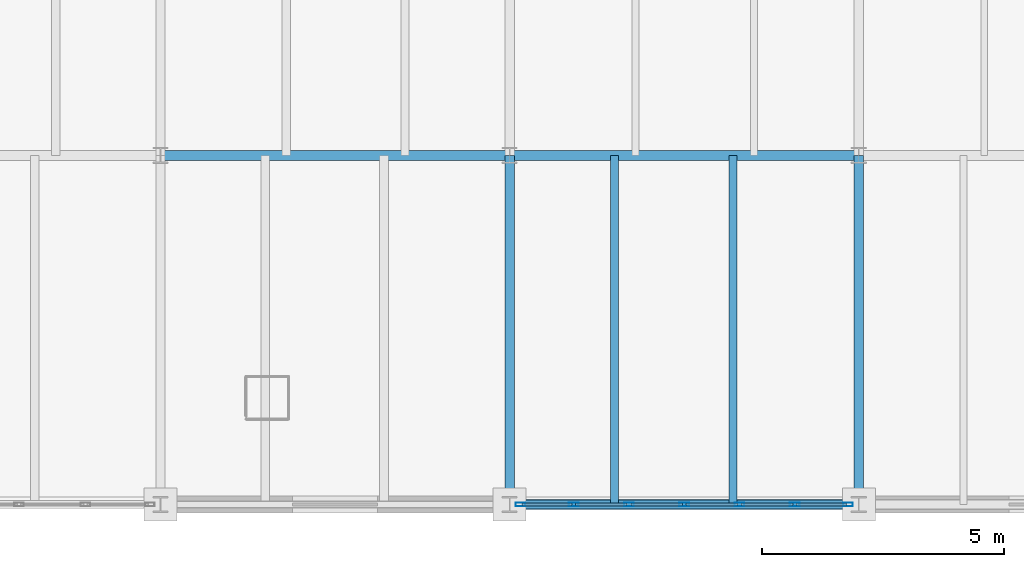
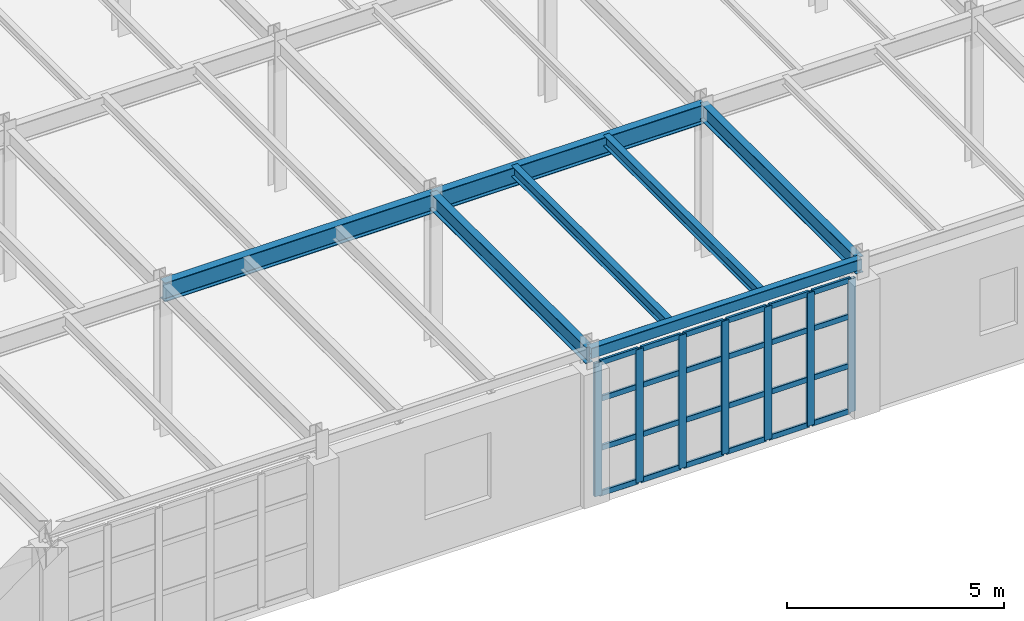
# One storey, part 27 of 137: 31 members, 7 beams, 1 element without a shape of its own.
"""IFC4 building model written with IfcOpenShell, lengths in metres."""

from ifc_helpers import new_model, si_unit, direction, frame, origin, origin_2d, place, context, subcontext, project, spatial, hollow_rectangle, i_section, extrude, material, layer, layer_set, material_profile, profile_set, type_object, element, aggregate, save


model = new_model("IFC4")

# Units and contexts
model_context = context("Model", 3, precision=1e-05, world=origin(), true_north=direction((0.0, 1.0)))
body_context = subcontext(model_context, "Body", "Model", "MODEL_VIEW")
ifc_project = project(units=[si_unit("LENGTHUNIT", "METRE"), si_unit("AREAUNIT", "SQUARE_METRE"), si_unit("VOLUMEUNIT", "CUBIC_METRE"), si_unit("PLANEANGLEUNIT", "RADIAN"), si_unit("MASSUNIT", "GRAM", prefix="KILO")], contexts=[model_context])

# Site, building, storey
site_placement = place(None, origin())
site = spatial("IfcSite", under=ifc_project, at=site_placement, CompositionType="ELEMENT")
building_placement = place(site_placement, origin())
building = spatial("IfcBuilding", under=site, at=building_placement, Name="Kemerveld Promenade Tramway Depot", CompositionType="ELEMENT")
storey_placement = place(building_placement, frame((0.0, 0.0, 5.39990234375)))
storey = spatial("IfcBuildingStorey", under=building, at=storey_placement, Name="L01", CompositionType="ELEMENT", Elevation=5.39990234375)

# Beams
ifc_material_1 = material(Name="Steel S355", Category="steel")
ifc_material_profile_1 = material_profile(ifc_material_1, i_section(OverallWidth=0.2099609375, OverallDepth=0.53662109375, WebThickness=0.0107421875, FlangeThickness=0.017333984375, FilletRadius=0.0126953125, at=origin_2d()), Name="533x210x101 UB")
ifc_profile_set_1 = profile_set([ifc_material_profile_1], Name="Steel S355")
beam_type_1 = type_object("IfcBeamType", Name="BM-G05", PredefinedType="BEAM", material=ifc_profile_set_1)
for number, where, z_axis, x_axis, name in (
    (1, (28.800048828125, 7.199951171875, 3.99169921875), (1.0, 0.0, 0.0), (0.0, 1.0, 0.0), "BMX-L01-05-06-B"),
    (2, (36.0, 7.199951171875, 3.99169921875), (1.0, 0.0, 0.0), (0.0, 1.0, 0.0), "BMX-L01-06-07-B"),
):
    element("IfcBeam", number, at=place(storey_placement, frame(where, z_axis=z_axis, x_axis=x_axis)), inside=storey, type_object=beam_type_1, Name=name, PredefinedType="BEAM", context=body_context, shape_type="SweptSolid", body=[
        extrude(i_section(OverallWidth=0.2099609375, OverallDepth=0.53662109375, WebThickness=0.0107421875, FlangeThickness=0.017333984375, FilletRadius=0.0126953125, at=origin_2d()), origin(), (0.0, 0.0, 1.0), 7.199951171875),
    ])
ifc_material_profile_2 = material_profile(ifc_material_1, i_section(OverallWidth=0.19140625, OverallDepth=0.4599609375, WebThickness=0.010009765625, FlangeThickness=0.01611328125, FilletRadius=0.01025390625, at=origin_2d()), Name="457x191x82 UB")
ifc_profile_set_2 = profile_set([ifc_material_profile_2], Name="Steel S355")
beam_type_2 = type_object("IfcBeamType", Name="BM-G06", PredefinedType="BEAM", material=ifc_profile_set_2)
for number, where, z_axis, x_axis, name in (
    (3, (36.0, 0.0, 4.030029296875), (0.0, 1.0, 0.0), (-1.0, 0.0, 0.0), "BMY-L01-06-A-B"),
    (4, (43.199951171875, 0.0, 4.030029296875), (0.0, 1.0, 0.0), (-1.0, 0.0, 0.0), "BMY-L01-07-A-B"),
):
    element("IfcBeam", number, at=place(storey_placement, frame(where, z_axis=z_axis, x_axis=x_axis)), inside=storey, type_object=beam_type_2, Name=name, PredefinedType="BEAM", context=body_context, shape_type="SweptSolid", body=[
        extrude(i_section(OverallWidth=0.19140625, OverallDepth=0.4599609375, WebThickness=0.010009765625, FlangeThickness=0.01611328125, FilletRadius=0.01025390625, at=origin_2d()), origin(), (0.0, 0.0, 1.0), 7.199951171875),
    ])
ifc_material_profile_3 = material_profile(ifc_material_1, hollow_rectangle(XDim=0.199951171875, YDim=0.300048828125, WallThickness=0.012451171875, InnerFilletRadius=0.00634765625, OuterFilletRadius=0.018798828125, at=origin_2d()), Name="300x200x12.5 RHS")
ifc_profile_set_3 = profile_set([ifc_material_profile_3], Name="Steel S355")
beam_type_3 = type_object("IfcBeamType", Name="BM-G18", PredefinedType="BEAM", material=ifc_profile_set_3)
beam_placement = place(storey_placement, frame((36.0, 0.0, 4.110107421875), z_axis=(1.0, 0.0, 0.0), x_axis=(0.0, 1.0, 0.0)))
element("IfcBeam", 5, at=beam_placement, inside=storey, type_object=beam_type_3, Name="BMX-L01-06-07-A", PredefinedType="BEAM", context=body_context, shape_type="SweptSolid", body=[
    extrude(hollow_rectangle(XDim=0.199951171875, YDim=0.300048828125, WallThickness=0.012451171875, InnerFilletRadius=0.00634765625, OuterFilletRadius=0.018798828125, at=origin_2d()), origin(), (0.0, 0.0, 1.0), 7.199951171875),
])
ifc_material_profile_4 = material_profile(ifc_material_1, i_section(OverallWidth=0.165771484375, OverallDepth=0.306640625, WebThickness=0.006591796875, FlangeThickness=0.01171875, FilletRadius=0.0087890625, at=origin_2d()), Name="305x165x46 UB")
ifc_profile_set_4 = profile_set([ifc_material_profile_4], Name="Steel S355")
beam_type_4 = type_object("IfcBeamType", Name="BM-J01", PredefinedType="JOIST", material=ifc_profile_set_4)
for number, where, z_axis, x_axis, name in (
    (6, (38.159912109375, 0.0, 4.106689453125), (0.0, 1.0, 0.0), (-1.0, 0.0, 0.0), "JST-L01-06-A-1"),
    (7, (40.60791015625, 0.0, 4.106689453125), (0.0, 1.0, 0.0), (-1.0, 0.0, 0.0), "JST-L01-06-A-2"),
):
    element("IfcBeam", number, at=place(storey_placement, frame(where, z_axis=z_axis, x_axis=x_axis)), inside=storey, type_object=beam_type_4, Name=name, PredefinedType="JOIST", context=body_context, shape_type="SweptSolid", body=[
        extrude(i_section(OverallWidth=0.165771484375, OverallDepth=0.306640625, WebThickness=0.006591796875, FlangeThickness=0.01171875, FilletRadius=0.0087890625, at=origin_2d()), origin(), (0.0, 0.0, 1.0), 7.199951171875),
    ])

# Curtain wall, members
ifc_material_2 = material(Name="Bronze anodised aluminium and solar glass", Category="aluminium")
ifc_layer = layer(ifc_material_2, 0.199951171875)
ifc_layer_set = layer_set([ifc_layer], Name="CW-SYS-06")
curtain_wall_type = type_object("IfcCurtainWallType", Name="CW-SYS-06", PredefinedType="USERDEFINED", material=ifc_layer_set)
curtain_wall_placement = place(storey_placement, origin())
curtain_wall = element("IfcCurtainWall", 8, at=curtain_wall_placement, inside=storey, type_object=curtain_wall_type, Name="CW-L01-V5S-03", ObjectType="GLAZED_CURTAIN_WALL", PredefinedType="USERDEFINED")
ifc_material_3 = material(Name="Bronze anodised aluminium", Category="aluminium")
ifc_material_profile_5 = material_profile(ifc_material_3, hollow_rectangle(XDim=0.074951171875, YDim=0.199951171875, WallThickness=0.0048828125, InnerFilletRadius=0.001953125, OuterFilletRadius=0.0048828125, at=origin_2d()), Name="CW-MUL-200x75")
ifc_profile_set_5 = profile_set([ifc_material_profile_5], Name="Bronze anodised aluminium")
member_type_1 = type_object("IfcMemberType", Name="CW-MUL-B", PredefinedType="MULLION", material=ifc_profile_set_5)
member_1_placement = place(storey_placement, frame((42.97900390625, 0.0, 0.0), z_axis=(0.0, 0.0, 1.0), x_axis=(0.0, -1.0, 0.0)))
member_1 = element("IfcMember", 9, at=member_1_placement, type_object=member_type_1, Name="CW06 mullion 1", PredefinedType="MULLION", context=body_context, shape_type="SweptSolid", body=[
    extrude(hollow_rectangle(XDim=0.074951171875, YDim=0.199951171875, WallThickness=0.0048828125, InnerFilletRadius=0.001953125, OuterFilletRadius=0.0048828125, at=origin_2d()), origin(), (0.0, 0.0, 1.0), 3.75),
])
member_2_placement = place(storey_placement, frame((41.877685546875, 0.0, 0.0), z_axis=(0.0, 0.0, 1.0), x_axis=(0.0, -1.0, 0.0)))
member_2 = element("IfcMember", 10, at=member_2_placement, type_object=member_type_1, Name="CW06 mullion 2", PredefinedType="MULLION", context=body_context, shape_type="SweptSolid", body=[
    extrude(hollow_rectangle(XDim=0.074951171875, YDim=0.199951171875, WallThickness=0.0048828125, InnerFilletRadius=0.001953125, OuterFilletRadius=0.0048828125, at=origin_2d()), origin(), (0.0, 0.0, 1.0), 3.75),
])
member_3_placement = place(storey_placement, frame((40.73876953125, 0.0, 0.0), z_axis=(0.0, 0.0, 1.0), x_axis=(0.0, -1.0, 0.0)))
member_3 = element("IfcMember", 11, at=member_3_placement, type_object=member_type_1, Name="CW06 mullion 3", PredefinedType="MULLION", context=body_context, shape_type="SweptSolid", body=[
    extrude(hollow_rectangle(XDim=0.074951171875, YDim=0.199951171875, WallThickness=0.0048828125, InnerFilletRadius=0.001953125, OuterFilletRadius=0.0048828125, at=origin_2d()), origin(), (0.0, 0.0, 1.0), 3.75),
])
member_4_placement = place(storey_placement, frame((39.60009765625, 0.0, 0.0), z_axis=(0.0, 0.0, 1.0), x_axis=(0.0, -1.0, 0.0)))
member_4 = element("IfcMember", 12, at=member_4_placement, type_object=member_type_1, Name="CW06 mullion 4", PredefinedType="MULLION", context=body_context, shape_type="SweptSolid", body=[
    extrude(hollow_rectangle(XDim=0.074951171875, YDim=0.199951171875, WallThickness=0.0048828125, InnerFilletRadius=0.001953125, OuterFilletRadius=0.0048828125, at=origin_2d()), origin(), (0.0, 0.0, 1.0), 3.75),
])
member_5_placement = place(storey_placement, frame((38.461181640625, 0.0, 0.0), z_axis=(0.0, 0.0, 1.0), x_axis=(0.0, -1.0, 0.0)))
member_5 = element("IfcMember", 13, at=member_5_placement, type_object=member_type_1, Name="CW06 mullion 5", PredefinedType="MULLION", context=body_context, shape_type="SweptSolid", body=[
    extrude(hollow_rectangle(XDim=0.074951171875, YDim=0.199951171875, WallThickness=0.0048828125, InnerFilletRadius=0.001953125, OuterFilletRadius=0.0048828125, at=origin_2d()), origin(), (0.0, 0.0, 1.0), 3.75),
])
member_6_placement = place(storey_placement, frame((37.322265625, 0.0, 0.0), z_axis=(0.0, 0.0, 1.0), x_axis=(0.0, -1.0, 0.0)))
member_6 = element("IfcMember", 14, at=member_6_placement, type_object=member_type_1, Name="CW06 mullion 6", PredefinedType="MULLION", context=body_context, shape_type="SweptSolid", body=[
    extrude(hollow_rectangle(XDim=0.074951171875, YDim=0.199951171875, WallThickness=0.0048828125, InnerFilletRadius=0.001953125, OuterFilletRadius=0.0048828125, at=origin_2d()), origin(), (0.0, 0.0, 1.0), 3.75),
])
member_7_placement = place(storey_placement, frame((36.220947265625, 0.0, 0.0), z_axis=(0.0, 0.0, 1.0), x_axis=(0.0, -1.0, 0.0)))
member_7 = element("IfcMember", 15, at=member_7_placement, type_object=member_type_1, Name="CW06 mullion 7", PredefinedType="MULLION", context=body_context, shape_type="SweptSolid", body=[
    extrude(hollow_rectangle(XDim=0.074951171875, YDim=0.199951171875, WallThickness=0.0048828125, InnerFilletRadius=0.001953125, OuterFilletRadius=0.0048828125, at=origin_2d()), origin(), (0.0, 0.0, 1.0), 3.75),
])
ifc_material_profile_6 = material_profile(ifc_material_3, hollow_rectangle(XDim=0.06494140625, YDim=0.14990234375, WallThickness=0.00439453125, InnerFilletRadius=0.001953125, OuterFilletRadius=0.00439453125, at=origin_2d()), Name="CW-TRN-150x65")
ifc_profile_set_6 = profile_set([ifc_material_profile_6], Name="Bronze anodised aluminium")
member_type_2 = type_object("IfcMemberType", Name="CW-TRN-B", PredefinedType="USERDEFINED", material=ifc_profile_set_6)
member_8_placement = place(storey_placement, frame((42.94140625, 0.0, 0.03271484375), z_axis=(-1.0, 0.0, 0.0), x_axis=(0.0, -1.0, 0.0)))
member_8 = element("IfcMember", 16, at=member_8_placement, type_object=member_type_2, Name="CW06 transom 1.1", ObjectType="TRANSOM", PredefinedType="USERDEFINED", context=body_context, shape_type="SweptSolid", body=[
    extrude(hollow_rectangle(XDim=0.06494140625, YDim=0.14990234375, WallThickness=0.00439453125, InnerFilletRadius=0.001953125, OuterFilletRadius=0.00439453125, at=origin_2d()), origin(), (0.0, 0.0, 1.0), 1.026123046875),
])
member_9_placement = place(storey_placement, frame((42.94140625, 0.0, 1.31298828125), z_axis=(-1.0, 0.0, 0.0), x_axis=(0.0, -1.0, 0.0)))
member_9 = element("IfcMember", 17, at=member_9_placement, type_object=member_type_2, Name="CW06 transom 1.2", ObjectType="TRANSOM", PredefinedType="USERDEFINED", context=body_context, shape_type="SweptSolid", body=[
    extrude(hollow_rectangle(XDim=0.06494140625, YDim=0.14990234375, WallThickness=0.00439453125, InnerFilletRadius=0.001953125, OuterFilletRadius=0.00439453125, at=origin_2d()), origin(), (0.0, 0.0, 1.0), 1.026123046875),
])
member_10_placement = place(storey_placement, frame((42.94140625, 0.0, 2.7001953125), z_axis=(-1.0, 0.0, 0.0), x_axis=(0.0, -1.0, 0.0)))
member_10 = element("IfcMember", 18, at=member_10_placement, type_object=member_type_2, Name="CW06 transom 1.3", ObjectType="TRANSOM", PredefinedType="USERDEFINED", context=body_context, shape_type="SweptSolid", body=[
    extrude(hollow_rectangle(XDim=0.06494140625, YDim=0.14990234375, WallThickness=0.00439453125, InnerFilletRadius=0.001953125, OuterFilletRadius=0.00439453125, at=origin_2d()), origin(), (0.0, 0.0, 1.0), 1.026123046875),
])
member_11_placement = place(storey_placement, frame((42.94140625, 0.0, 3.717529296875), z_axis=(-1.0, 0.0, 0.0), x_axis=(0.0, -1.0, 0.0)))
member_11 = element("IfcMember", 19, at=member_11_placement, type_object=member_type_2, Name="CW06 transom 1.4", ObjectType="TRANSOM", PredefinedType="USERDEFINED", context=body_context, shape_type="SweptSolid", body=[
    extrude(hollow_rectangle(XDim=0.06494140625, YDim=0.14990234375, WallThickness=0.00439453125, InnerFilletRadius=0.001953125, OuterFilletRadius=0.00439453125, at=origin_2d()), origin(), (0.0, 0.0, 1.0), 1.026123046875),
])
member_12_placement = place(storey_placement, frame((41.840087890625, 0.0, 0.03271484375), z_axis=(-1.0, 0.0, 0.0), x_axis=(0.0, -1.0, 0.0)))
member_12 = element("IfcMember", 20, at=member_12_placement, type_object=member_type_2, Name="CW06 transom 2.1", ObjectType="TRANSOM", PredefinedType="USERDEFINED", context=body_context, shape_type="SweptSolid", body=[
    extrude(hollow_rectangle(XDim=0.06494140625, YDim=0.14990234375, WallThickness=0.00439453125, InnerFilletRadius=0.001953125, OuterFilletRadius=0.00439453125, at=origin_2d()), origin(), (0.0, 0.0, 1.0), 1.063720703125),
])
member_13_placement = place(storey_placement, frame((41.840087890625, 0.0, 1.31298828125), z_axis=(-1.0, 0.0, 0.0), x_axis=(0.0, -1.0, 0.0)))
member_13 = element("IfcMember", 21, at=member_13_placement, type_object=member_type_2, Name="CW06 transom 2.2", ObjectType="TRANSOM", PredefinedType="USERDEFINED", context=body_context, shape_type="SweptSolid", body=[
    extrude(hollow_rectangle(XDim=0.06494140625, YDim=0.14990234375, WallThickness=0.00439453125, InnerFilletRadius=0.001953125, OuterFilletRadius=0.00439453125, at=origin_2d()), origin(), (0.0, 0.0, 1.0), 1.063720703125),
])
member_14_placement = place(storey_placement, frame((41.840087890625, 0.0, 2.7001953125), z_axis=(-1.0, 0.0, 0.0), x_axis=(0.0, -1.0, 0.0)))
member_14 = element("IfcMember", 22, at=member_14_placement, type_object=member_type_2, Name="CW06 transom 2.3", ObjectType="TRANSOM", PredefinedType="USERDEFINED", context=body_context, shape_type="SweptSolid", body=[
    extrude(hollow_rectangle(XDim=0.06494140625, YDim=0.14990234375, WallThickness=0.00439453125, InnerFilletRadius=0.001953125, OuterFilletRadius=0.00439453125, at=origin_2d()), origin(), (0.0, 0.0, 1.0), 1.063720703125),
])
member_15_placement = place(storey_placement, frame((41.840087890625, 0.0, 3.717529296875), z_axis=(-1.0, 0.0, 0.0), x_axis=(0.0, -1.0, 0.0)))
member_15 = element("IfcMember", 23, at=member_15_placement, type_object=member_type_2, Name="CW06 transom 2.4", ObjectType="TRANSOM", PredefinedType="USERDEFINED", context=body_context, shape_type="SweptSolid", body=[
    extrude(hollow_rectangle(XDim=0.06494140625, YDim=0.14990234375, WallThickness=0.00439453125, InnerFilletRadius=0.001953125, OuterFilletRadius=0.00439453125, at=origin_2d()), origin(), (0.0, 0.0, 1.0), 1.063720703125),
])
member_16_placement = place(storey_placement, frame((40.701416015625, 0.0, 0.03271484375), z_axis=(-1.0, 0.0, 0.0), x_axis=(0.0, -1.0, 0.0)))
member_16 = element("IfcMember", 24, at=member_16_placement, type_object=member_type_2, Name="CW06 transom 3.1", ObjectType="TRANSOM", PredefinedType="USERDEFINED", context=body_context, shape_type="SweptSolid", body=[
    extrude(hollow_rectangle(XDim=0.06494140625, YDim=0.14990234375, WallThickness=0.00439453125, InnerFilletRadius=0.001953125, OuterFilletRadius=0.00439453125, at=origin_2d()), origin(), (0.0, 0.0, 1.0), 1.06396484375),
])
member_17_placement = place(storey_placement, frame((40.701416015625, 0.0, 1.31298828125), z_axis=(-1.0, 0.0, 0.0), x_axis=(0.0, -1.0, 0.0)))
member_17 = element("IfcMember", 25, at=member_17_placement, type_object=member_type_2, Name="CW06 transom 3.2", ObjectType="TRANSOM", PredefinedType="USERDEFINED", context=body_context, shape_type="SweptSolid", body=[
    extrude(hollow_rectangle(XDim=0.06494140625, YDim=0.14990234375, WallThickness=0.00439453125, InnerFilletRadius=0.001953125, OuterFilletRadius=0.00439453125, at=origin_2d()), origin(), (0.0, 0.0, 1.0), 1.06396484375),
])
member_18_placement = place(storey_placement, frame((40.701416015625, 0.0, 2.7001953125), z_axis=(-1.0, 0.0, 0.0), x_axis=(0.0, -1.0, 0.0)))
member_18 = element("IfcMember", 26, at=member_18_placement, type_object=member_type_2, Name="CW06 transom 3.3", ObjectType="TRANSOM", PredefinedType="USERDEFINED", context=body_context, shape_type="SweptSolid", body=[
    extrude(hollow_rectangle(XDim=0.06494140625, YDim=0.14990234375, WallThickness=0.00439453125, InnerFilletRadius=0.001953125, OuterFilletRadius=0.00439453125, at=origin_2d()), origin(), (0.0, 0.0, 1.0), 1.06396484375),
])
member_19_placement = place(storey_placement, frame((40.701416015625, 0.0, 3.717529296875), z_axis=(-1.0, 0.0, 0.0), x_axis=(0.0, -1.0, 0.0)))
member_19 = element("IfcMember", 27, at=member_19_placement, type_object=member_type_2, Name="CW06 transom 3.4", ObjectType="TRANSOM", PredefinedType="USERDEFINED", context=body_context, shape_type="SweptSolid", body=[
    extrude(hollow_rectangle(XDim=0.06494140625, YDim=0.14990234375, WallThickness=0.00439453125, InnerFilletRadius=0.001953125, OuterFilletRadius=0.00439453125, at=origin_2d()), origin(), (0.0, 0.0, 1.0), 1.06396484375),
])
member_20_placement = place(storey_placement, frame((39.5625, 0.0, 0.03271484375), z_axis=(-1.0, 0.0, 0.0), x_axis=(0.0, -1.0, 0.0)))
member_20 = element("IfcMember", 28, at=member_20_placement, type_object=member_type_2, Name="CW06 transom 4.1", ObjectType="TRANSOM", PredefinedType="USERDEFINED", context=body_context, shape_type="SweptSolid", body=[
    extrude(hollow_rectangle(XDim=0.06494140625, YDim=0.14990234375, WallThickness=0.00439453125, InnerFilletRadius=0.001953125, OuterFilletRadius=0.00439453125, at=origin_2d()), origin(), (0.0, 0.0, 1.0), 1.063720703125),
])
member_21_placement = place(storey_placement, frame((39.5625, 0.0, 1.31298828125), z_axis=(-1.0, 0.0, 0.0), x_axis=(0.0, -1.0, 0.0)))
member_21 = element("IfcMember", 29, at=member_21_placement, type_object=member_type_2, Name="CW06 transom 4.2", ObjectType="TRANSOM", PredefinedType="USERDEFINED", context=body_context, shape_type="SweptSolid", body=[
    extrude(hollow_rectangle(XDim=0.06494140625, YDim=0.14990234375, WallThickness=0.00439453125, InnerFilletRadius=0.001953125, OuterFilletRadius=0.00439453125, at=origin_2d()), origin(), (0.0, 0.0, 1.0), 1.063720703125),
])
member_22_placement = place(storey_placement, frame((39.5625, 0.0, 2.7001953125), z_axis=(-1.0, 0.0, 0.0), x_axis=(0.0, -1.0, 0.0)))
member_22 = element("IfcMember", 30, at=member_22_placement, type_object=member_type_2, Name="CW06 transom 4.3", ObjectType="TRANSOM", PredefinedType="USERDEFINED", context=body_context, shape_type="SweptSolid", body=[
    extrude(hollow_rectangle(XDim=0.06494140625, YDim=0.14990234375, WallThickness=0.00439453125, InnerFilletRadius=0.001953125, OuterFilletRadius=0.00439453125, at=origin_2d()), origin(), (0.0, 0.0, 1.0), 1.063720703125),
])
member_23_placement = place(storey_placement, frame((39.5625, 0.0, 3.717529296875), z_axis=(-1.0, 0.0, 0.0), x_axis=(0.0, -1.0, 0.0)))
member_23 = element("IfcMember", 31, at=member_23_placement, type_object=member_type_2, Name="CW06 transom 4.4", ObjectType="TRANSOM", PredefinedType="USERDEFINED", context=body_context, shape_type="SweptSolid", body=[
    extrude(hollow_rectangle(XDim=0.06494140625, YDim=0.14990234375, WallThickness=0.00439453125, InnerFilletRadius=0.001953125, OuterFilletRadius=0.00439453125, at=origin_2d()), origin(), (0.0, 0.0, 1.0), 1.063720703125),
])
member_24_placement = place(storey_placement, frame((38.423583984375, 0.0, 0.03271484375), z_axis=(-1.0, 0.0, 0.0), x_axis=(0.0, -1.0, 0.0)))
member_24 = element("IfcMember", 32, at=member_24_placement, type_object=member_type_2, Name="CW06 transom 5.1", ObjectType="TRANSOM", PredefinedType="USERDEFINED", context=body_context, shape_type="SweptSolid", body=[
    extrude(hollow_rectangle(XDim=0.06494140625, YDim=0.14990234375, WallThickness=0.00439453125, InnerFilletRadius=0.001953125, OuterFilletRadius=0.00439453125, at=origin_2d()), origin(), (0.0, 0.0, 1.0), 1.063720703125),
])
member_25_placement = place(storey_placement, frame((38.423583984375, 0.0, 1.31298828125), z_axis=(-1.0, 0.0, 0.0), x_axis=(0.0, -1.0, 0.0)))
member_25 = element("IfcMember", 33, at=member_25_placement, type_object=member_type_2, Name="CW06 transom 5.2", ObjectType="TRANSOM", PredefinedType="USERDEFINED", context=body_context, shape_type="SweptSolid", body=[
    extrude(hollow_rectangle(XDim=0.06494140625, YDim=0.14990234375, WallThickness=0.00439453125, InnerFilletRadius=0.001953125, OuterFilletRadius=0.00439453125, at=origin_2d()), origin(), (0.0, 0.0, 1.0), 1.063720703125),
])
member_26_placement = place(storey_placement, frame((38.423583984375, 0.0, 2.7001953125), z_axis=(-1.0, 0.0, 0.0), x_axis=(0.0, -1.0, 0.0)))
member_26 = element("IfcMember", 34, at=member_26_placement, type_object=member_type_2, Name="CW06 transom 5.3", ObjectType="TRANSOM", PredefinedType="USERDEFINED", context=body_context, shape_type="SweptSolid", body=[
    extrude(hollow_rectangle(XDim=0.06494140625, YDim=0.14990234375, WallThickness=0.00439453125, InnerFilletRadius=0.001953125, OuterFilletRadius=0.00439453125, at=origin_2d()), origin(), (0.0, 0.0, 1.0), 1.063720703125),
])
member_27_placement = place(storey_placement, frame((38.423583984375, 0.0, 3.717529296875), z_axis=(-1.0, 0.0, 0.0), x_axis=(0.0, -1.0, 0.0)))
member_27 = element("IfcMember", 35, at=member_27_placement, type_object=member_type_2, Name="CW06 transom 5.4", ObjectType="TRANSOM", PredefinedType="USERDEFINED", context=body_context, shape_type="SweptSolid", body=[
    extrude(hollow_rectangle(XDim=0.06494140625, YDim=0.14990234375, WallThickness=0.00439453125, InnerFilletRadius=0.001953125, OuterFilletRadius=0.00439453125, at=origin_2d()), origin(), (0.0, 0.0, 1.0), 1.063720703125),
])
member_28_placement = place(storey_placement, frame((37.284912109375, 0.0, 0.03271484375), z_axis=(-1.0, 0.0, 0.0), x_axis=(0.0, -1.0, 0.0)))
member_28 = element("IfcMember", 36, at=member_28_placement, type_object=member_type_2, Name="CW06 transom 6.1", ObjectType="TRANSOM", PredefinedType="USERDEFINED", context=body_context, shape_type="SweptSolid", body=[
    extrude(hollow_rectangle(XDim=0.06494140625, YDim=0.14990234375, WallThickness=0.00439453125, InnerFilletRadius=0.001953125, OuterFilletRadius=0.00439453125, at=origin_2d()), origin(), (0.0, 0.0, 1.0), 1.0263671875),
])
member_29_placement = place(storey_placement, frame((37.284912109375, 0.0, 1.31298828125), z_axis=(-1.0, 0.0, 0.0), x_axis=(0.0, -1.0, 0.0)))
member_29 = element("IfcMember", 37, at=member_29_placement, type_object=member_type_2, Name="CW06 transom 6.2", ObjectType="TRANSOM", PredefinedType="USERDEFINED", context=body_context, shape_type="SweptSolid", body=[
    extrude(hollow_rectangle(XDim=0.06494140625, YDim=0.14990234375, WallThickness=0.00439453125, InnerFilletRadius=0.001953125, OuterFilletRadius=0.00439453125, at=origin_2d()), origin(), (0.0, 0.0, 1.0), 1.0263671875),
])
member_30_placement = place(storey_placement, frame((37.284912109375, 0.0, 2.7001953125), z_axis=(-1.0, 0.0, 0.0), x_axis=(0.0, -1.0, 0.0)))
member_30 = element("IfcMember", 38, at=member_30_placement, type_object=member_type_2, Name="CW06 transom 6.3", ObjectType="TRANSOM", PredefinedType="USERDEFINED", context=body_context, shape_type="SweptSolid", body=[
    extrude(hollow_rectangle(XDim=0.06494140625, YDim=0.14990234375, WallThickness=0.00439453125, InnerFilletRadius=0.001953125, OuterFilletRadius=0.00439453125, at=origin_2d()), origin(), (0.0, 0.0, 1.0), 1.0263671875),
])
member_31_placement = place(storey_placement, frame((37.284912109375, 0.0, 3.717529296875), z_axis=(-1.0, 0.0, 0.0), x_axis=(0.0, -1.0, 0.0)))
member_31 = element("IfcMember", 39, at=member_31_placement, type_object=member_type_2, Name="CW06 transom 6.4", ObjectType="TRANSOM", PredefinedType="USERDEFINED", context=body_context, shape_type="SweptSolid", body=[
    extrude(hollow_rectangle(XDim=0.06494140625, YDim=0.14990234375, WallThickness=0.00439453125, InnerFilletRadius=0.001953125, OuterFilletRadius=0.00439453125, at=origin_2d()), origin(), (0.0, 0.0, 1.0), 1.0263671875),
])
aggregate(curtain_wall, [member_1, member_2, member_3, member_4, member_5, member_6, member_7, member_8, member_9, member_10, member_11, member_12, member_13, member_14, member_15, member_16, member_17, member_18, member_19, member_20, member_21, member_22, member_23, member_24, member_25, member_26, member_27, member_28, member_29, member_30, member_31])

save(model, "model.ifc")
